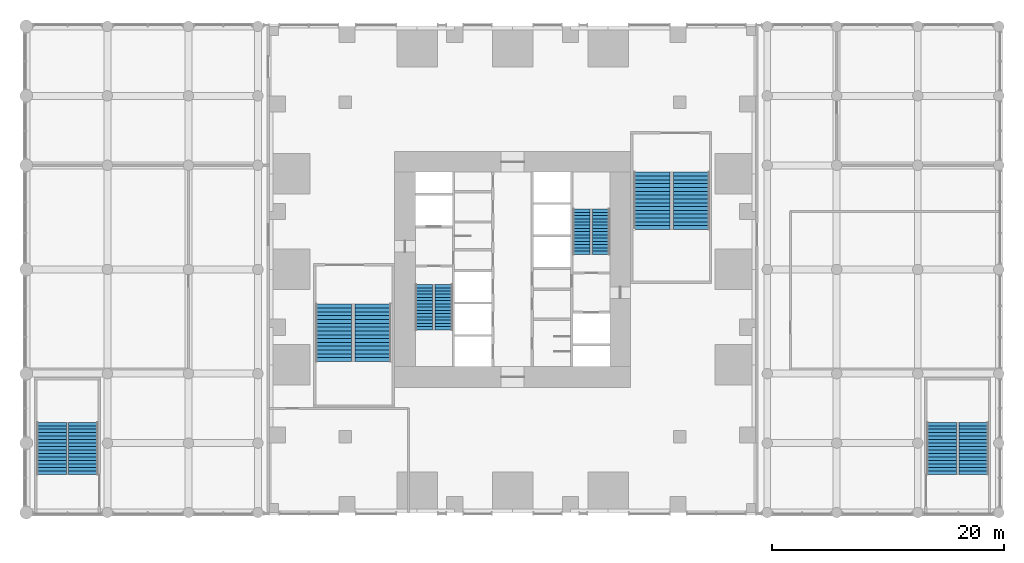
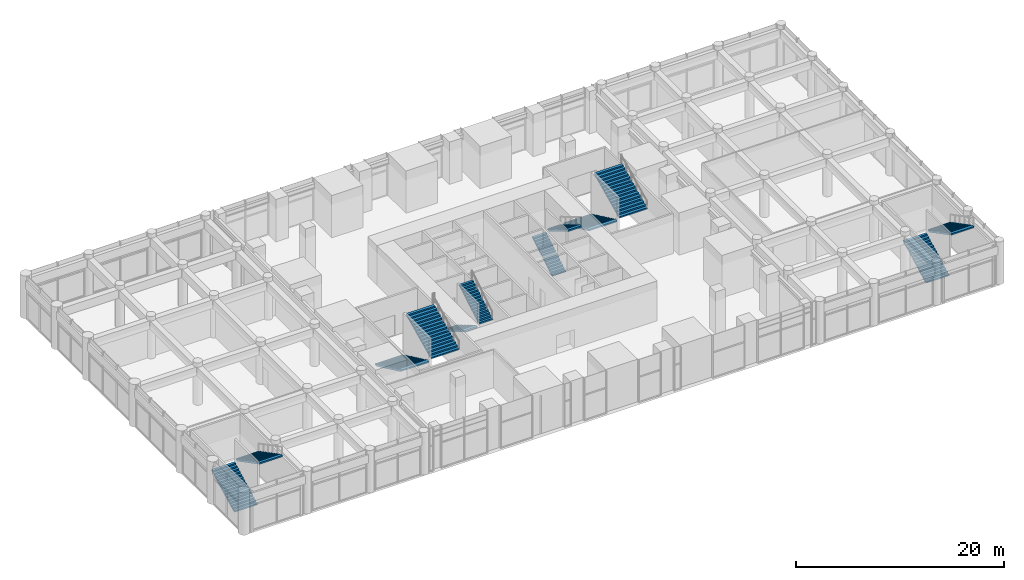
# One storey, part 18 of 23: 12 stair flights, 6 elements without a shape of their own.
"""IFC4 building model written with IfcOpenShell, lengths in metres."""

import ifcopenshell
import ifcopenshell.guid

model = None  # the IFC model being written
_history = None  # IfcOwnerHistory: only IFC2X3 demands one
_inside = {}  # id of a spatial element -> (the spatial element, [elements in it])
_under = {}  # id of a project, library or spatial element -> (it, [spatial elements below it])
_declared = {}  # id of a project -> (the project, [libraries it declares])
_typed = {}  # id of a type object -> (the type object, [elements of that type])
_made_of = {}  # id of a material, layer set ... -> (it, [elements and type objects made of it])


def new_model(schema):
    """Start an empty IFC model of exactly this schema.

    Asked for "IFC4X3", IfcOpenShell would pick the latest addendum, in which some entities
    have other attributes; the version numbers below select the first issue.
    IFC2X3 requires an IfcOwnerHistory on every rooted entity: one is made here for all.
    """
    global model, _history
    if schema == "IFC4X3":
        model = ifcopenshell.file(schema_version=(4, 3, 0, 0))
    else:
        model = ifcopenshell.file(schema=schema)
    _inside.clear()
    _under.clear()
    _declared.clear()
    _typed.clear()
    _made_of.clear()
    _history = None
    if model.schema == "IFC2X3":
        org = make("IfcOrganization", Name="unknown")
        user = make(
            "IfcPersonAndOrganization",
            ThePerson=make("IfcPerson", FamilyName="unknown"),
            TheOrganization=org,
        )
        app = make(
            "IfcApplication",
            ApplicationDeveloper=org,
            Version="unknown",
            ApplicationFullName="unknown",
            ApplicationIdentifier="unknown",
        )
        _history = make(
            "IfcOwnerHistory",
            OwningUser=user,
            OwningApplication=app,
            ChangeAction="ADDED",
            CreationDate=0,
        )
    return model


def make(cls, **values):
    """One entity of the class cls with the attributes given. An attribute that is None is left unset."""
    return model.create_entity(
        cls, **{name: value for name, value in values.items() if value is not None}
    )


def rooted(cls, **values):
    """An entity with a GlobalId (a new one), such as an element, a storey or a relation."""
    return make(cls, GlobalId=ifcopenshell.guid.new(), OwnerHistory=_history, **values)


def si_unit(unit_type, name, prefix=None):
    """IfcSIUnit, for example si_unit("LENGTHUNIT", "METRE", prefix="MILLI")."""
    return make("IfcSIUnit", UnitType=unit_type, Prefix=prefix, Name=name)


def assignment(units):
    """IfcUnitAssignment: the units of a project."""
    return None if units is None else make("IfcUnitAssignment", Units=units)


def point(xyz):
    """IfcCartesianPoint."""
    return None if xyz is None else make("IfcCartesianPoint", Coordinates=xyz)


def direction(xyz):
    """IfcDirection."""
    return None if xyz is None else make("IfcDirection", DirectionRatios=xyz)


def frame(location, z_axis=None, x_axis=None):
    """IfcAxis2Placement3D, a coordinate frame: its origin and axes. An axis left out is left unset."""
    return make(
        "IfcAxis2Placement3D",
        Location=point(location),
        Axis=direction(z_axis),
        RefDirection=direction(x_axis),
    )


def origin():
    """The frame at (0, 0, 0) with its axes left unset."""
    return frame((0.0, 0.0, 0.0))


def place(relative_to, where):
    """IfcLocalPlacement: puts the frame where relative to a parent placement (None: the world)."""
    return make(
        "IfcLocalPlacement", PlacementRelTo=relative_to, RelativePlacement=where
    )


def context(
    kind, dimensions, precision=None, world=None, true_north=None, identifier=None
):
    """IfcGeometricRepresentationContext, for example the 3D "Model" context."""
    return make(
        "IfcGeometricRepresentationContext",
        ContextIdentifier=identifier,
        ContextType=kind,
        CoordinateSpaceDimension=dimensions,
        Precision=precision,
        WorldCoordinateSystem=world,
        TrueNorth=true_north,
    )


def subcontext(parent, identifier, kind, view, scale=None):
    """IfcGeometricRepresentationSubContext, for example "Body" below "Model"."""
    return make(
        "IfcGeometricRepresentationSubContext",
        ContextIdentifier=identifier,
        ContextType=kind,
        ParentContext=parent,
        TargetScale=scale,
        TargetView=view,
    )


def project(units=None, contexts=None):
    """IfcProject with its units and contexts."""
    return rooted(
        "IfcProject",
        Name="project",
        RepresentationContexts=contexts,
        UnitsInContext=assignment(units),
    )


def spatial(cls, under=None, at=None, **own):
    """A site, building, storey or space (cls), placed at a placement, below another one or the project."""
    s = rooted(cls, ObjectPlacement=at, **own)
    if under is not None:
        _under.setdefault(under.id(), (under, []))[1].append(s)
    return s


def polyline(points):
    """IfcPolyline through the points."""
    return make("IfcPolyline", Points=[point(p) for p in points])


def outline(outer, holes=None, kind="AREA"):
    """IfcArbitraryClosedProfileDef: a profile drawn as a closed curve; with holes, ...WithVoids."""
    if holes is None:
        return make("IfcArbitraryClosedProfileDef", ProfileType=kind, OuterCurve=outer)
    return make(
        "IfcArbitraryProfileDefWithVoids",
        ProfileType=kind,
        OuterCurve=outer,
        InnerCurves=holes,
    )


def extrude(swept, where, along, depth):
    """IfcExtrudedAreaSolid: the profile swept, set in the frame where, extruded along a direction by depth."""
    return make(
        "IfcExtrudedAreaSolid",
        SweptArea=swept,
        Position=where,
        ExtrudedDirection=direction(along),
        Depth=depth,
    )


def shape(context_of_items, identifier, shape_type, items):
    """IfcShapeRepresentation: the items that make up one representation, for example the "Body"."""
    return make(
        "IfcShapeRepresentation",
        ContextOfItems=context_of_items,
        RepresentationIdentifier=identifier,
        RepresentationType=shape_type,
        Items=items,
    )


def material(Name=None, Category=None):
    """IfcMaterial."""
    return make("IfcMaterial", Name=Name, Category=Category)


def made_of(thing, what):
    """Note that an element or type object is made of a material, layer set ...; save() writes the relation."""
    if what is not None:
        _made_of.setdefault(what.id(), (what, []))[1].append(thing)
    return thing


def type_object(cls, material=None, **own):
    """A type object (cls), such as IfcWallType, which elements share."""
    return made_of(rooted(cls, **own), material)


def element(
    cls,
    number,
    at=None,
    inside=None,
    cuts=None,
    type_object=None,
    material=None,
    context=None,
    identifier="Body",
    shape_type=None,
    held_by="IfcProductDefinitionShape",
    body=None,
    shapes=None,
    **own,
):
    """One element of the class cls, such as IfcWall. Its Tag is "e" and its number.

    at: its placement. inside: the storey or other place that contains it. cuts: it is an
    opening in that element (IfcRelVoidsElement). A single representation is given by context,
    identifier, shape_type and body (its items); several are given by shapes. held_by: the class
    of the entity that holds the representations. save() writes the other relations.
    """
    e = rooted(cls, Tag="e%d" % number, ObjectPlacement=at, **own)
    if body is not None:
        shapes = [shape(context, identifier, shape_type, body)]
    if shapes is not None:
        e.Representation = make(held_by, Representations=shapes)
    if inside is not None:
        _inside.setdefault(inside.id(), (inside, []))[1].append(e)
    if cuts is not None:
        rooted(
            "IfcRelVoidsElement", RelatingBuildingElement=cuts, RelatedOpeningElement=e
        )
    if type_object is not None:
        _typed.setdefault(type_object.id(), (type_object, []))[1].append(e)
    return made_of(e, material)


def aggregate(whole, parts):
    """IfcRelAggregates: a whole, such as a stair, and the parts it consists of."""
    return rooted("IfcRelAggregates", RelatingObject=whole, RelatedObjects=parts)


def save(model, path):
    """Write the relations noted so far, then the file.

    IfcRelAggregates (storeys below a building ...), IfcRelContainedInSpatialStructure (elements
    in a storey), IfcRelDefinesByType, IfcRelAssociatesMaterial and IfcRelDeclares: one each for
    every whole, place, type object, material and project.
    """
    for whole, parts in _under.values():
        aggregate(whole, parts)
    for where, things in _inside.values():
        rooted(
            "IfcRelContainedInSpatialStructure",
            RelatedElements=things,
            RelatingStructure=where,
        )
    for kind, things in _typed.values():
        rooted("IfcRelDefinesByType", RelatedObjects=things, RelatingType=kind)
    for what, things in _made_of.values():
        rooted("IfcRelAssociatesMaterial", RelatedObjects=things, RelatingMaterial=what)
    for by, libraries in _declared.values():
        rooted("IfcRelDeclares", RelatingContext=by, RelatedDefinitions=libraries)
    model.write(path)


model = new_model("IFC4")

# Units and contexts
model_context = context("Model", 3, precision=1e-05, world=origin(), true_north=direction((0.0, 1.0)))
body_context = subcontext(model_context, "Body", "Model", "MODEL_VIEW")
ifc_project = project(units=[si_unit("LENGTHUNIT", "METRE"), si_unit("AREAUNIT", "SQUARE_METRE"), si_unit("VOLUMEUNIT", "CUBIC_METRE"), si_unit("PLANEANGLEUNIT", "RADIAN"), si_unit("MASSUNIT", "GRAM", prefix="KILO")], contexts=[model_context])

# Site, building, storey
site_placement = place(None, origin())
site = spatial("IfcSite", under=ifc_project, at=site_placement, CompositionType="ELEMENT")
building_placement = place(site_placement, origin())
building = spatial("IfcBuilding", under=site, at=building_placement, Name="Svetlomir Tower", CompositionType="ELEMENT")
storey_placement = place(building_placement, frame((0.0, 0.0, 6.0)))
storey = spatial("IfcBuildingStorey", under=building, at=storey_placement, Name="L01", CompositionType="ELEMENT", Elevation=6.0)

# Stair, stair flights
ifc_material_1 = material(Name="Concrete C60/75", Category="concrete")
stair_type_1 = type_object("IfcStairType", Name="EXIT STAIR 3200 RISE 5000", PredefinedType="HALF_TURN_STAIR", material=ifc_material_1)
stair_1_placement = place(storey_placement, origin())
stair_1 = element("IfcStair", 1, at=stair_1_placement, inside=storey, type_object=stair_type_1, Name="Stair S1 L01 to L02", PredefinedType="HALF_TURN_STAIR")
ifc_material_2 = material(Name="Concrete C60/75", Category="concrete")
stair_flight_type_1 = type_object("IfcStairFlightType", Name="STAIR FLIGHT 1500 OF 15 RISERS", PredefinedType="STRAIGHT", material=ifc_material_2)
stair_flight_1_placement = place(storey_placement, frame((13.35009765625, 19.699951171875, 0.0), z_axis=(0.0, 0.0, 1.0), x_axis=(0.0, -1.0, 0.0)))
stair_flight_1 = element("IfcStairFlight", 2, at=stair_flight_1_placement, type_object=stair_flight_type_1, Name="S1 flight 1", NumberOfRisers=15, NumberOfTreads=14, PredefinedType="STRAIGHT", RiserHeight=0.166666667, TreadLength=0.28, context=body_context, shape_type="SweptSolid", body=[
    extrude(outline(polyline([(0.0, 0.0), (0.0, 0.166748046875), (0.280029296875, 0.166748046875), (0.280029296875, 0.333251953125), (0.56005859375, 0.333251953125), (0.56005859375, 0.5), (0.840087890625, 0.5), (0.840087890625, 0.666748046875), (1.1201171875, 0.666748046875), (1.1201171875, 0.833251953125), (1.39990234375, 0.833251953125), (1.39990234375, 1.0), (1.679931640625, 1.0), (1.679931640625, 1.166748046875), (1.9599609375, 1.166748046875), (1.9599609375, 1.333251953125), (2.239990234375, 1.333251953125), (2.239990234375, 1.5), (2.52001953125, 1.5), (2.52001953125, 1.666748046875), (2.800048828125, 1.666748046875), (2.800048828125, 1.833251953125), (3.080078125, 1.833251953125), (3.080078125, 2.0), (3.360107421875, 2.0), (3.360107421875, 2.166748046875), (3.639892578125, 2.166748046875), (3.639892578125, 2.333251953125), (3.919921875, 2.333251953125), (3.919921875, 2.5), (3.919921875, 2.158935546875), (0.29296875, 0.0), (0.0, 0.0)])), frame((0.0, 0.75, 0.0), z_axis=(0.0, -1.0, 0.0), x_axis=(1.0, 0.0, 0.0)), (0.0, 0.0, 1.0), 1.5),
])
stair_flight_2_placement = place(storey_placement, frame((15.050048828125, 15.780029296875, 2.5), z_axis=(0.0, 0.0, 1.0), x_axis=(0.0, 1.0, 0.0)))
stair_flight_2 = element("IfcStairFlight", 3, at=stair_flight_2_placement, type_object=stair_flight_type_1, Name="S1 flight 2", NumberOfRisers=15, NumberOfTreads=14, PredefinedType="STRAIGHT", RiserHeight=0.166666667, TreadLength=0.28, context=body_context, shape_type="SweptSolid", body=[
    extrude(outline(polyline([(0.0, 0.0), (0.0, 0.166748046875), (0.280029296875, 0.166748046875), (0.280029296875, 0.333251953125), (0.56005859375, 0.333251953125), (0.56005859375, 0.5), (0.840087890625, 0.5), (0.840087890625, 0.666748046875), (1.1201171875, 0.666748046875), (1.1201171875, 0.833251953125), (1.39990234375, 0.833251953125), (1.39990234375, 1.0), (1.679931640625, 1.0), (1.679931640625, 1.166748046875), (1.9599609375, 1.166748046875), (1.9599609375, 1.333251953125), (2.239990234375, 1.333251953125), (2.239990234375, 1.5), (2.52001953125, 1.5), (2.52001953125, 1.666748046875), (2.800048828125, 1.666748046875), (2.800048828125, 1.833251953125), (3.080078125, 1.833251953125), (3.080078125, 2.0), (3.360107421875, 2.0), (3.360107421875, 2.166748046875), (3.639892578125, 2.166748046875), (3.639892578125, 2.333251953125), (3.919921875, 2.333251953125), (3.919921875, 2.5), (3.919921875, 2.158935546875), (0.29296875, 0.0), (0.0, 0.0)])), frame((0.0, 0.75, 0.0), z_axis=(0.0, -1.0, 0.0), x_axis=(1.0, 0.0, 0.0)), (0.0, 0.0, 1.0), 1.5),
])
aggregate(stair_1, [stair_flight_1, stair_flight_2])

stair_2_placement = place(storey_placement, origin())
stair_2 = element("IfcStair", 4, at=stair_2_placement, inside=storey, type_object=stair_type_1, Name="Stair S2 L01 to L02", PredefinedType="HALF_TURN_STAIR")
stair_flight_3_placement = place(storey_placement, frame((26.949951171875, 22.300048828125, 0.0), z_axis=(0.0, 0.0, 1.0), x_axis=(0.0, 1.0, 0.0)))
stair_flight_3 = element("IfcStairFlight", 5, at=stair_flight_3_placement, type_object=stair_flight_type_1, Name="S2 flight 1", NumberOfRisers=15, NumberOfTreads=14, PredefinedType="STRAIGHT", RiserHeight=0.166666667, TreadLength=0.28, context=body_context, shape_type="SweptSolid", body=[
    extrude(outline(polyline([(0.0, 0.0), (0.0, 0.166748046875), (0.280029296875, 0.166748046875), (0.280029296875, 0.333251953125), (0.56005859375, 0.333251953125), (0.56005859375, 0.5), (0.840087890625, 0.5), (0.840087890625, 0.666748046875), (1.1201171875, 0.666748046875), (1.1201171875, 0.833251953125), (1.39990234375, 0.833251953125), (1.39990234375, 1.0), (1.679931640625, 1.0), (1.679931640625, 1.166748046875), (1.9599609375, 1.166748046875), (1.9599609375, 1.333251953125), (2.239990234375, 1.333251953125), (2.239990234375, 1.5), (2.52001953125, 1.5), (2.52001953125, 1.666748046875), (2.800048828125, 1.666748046875), (2.800048828125, 1.833251953125), (3.080078125, 1.833251953125), (3.080078125, 2.0), (3.360107421875, 2.0), (3.360107421875, 2.166748046875), (3.639892578125, 2.166748046875), (3.639892578125, 2.333251953125), (3.919921875, 2.333251953125), (3.919921875, 2.5), (3.919921875, 2.158935546875), (0.29296875, 0.0), (0.0, 0.0)])), frame((0.0, 0.75, 0.0), z_axis=(0.0, -1.0, 0.0), x_axis=(1.0, 0.0, 0.0)), (0.0, 0.0, 1.0), 1.5),
])
stair_flight_4_placement = place(storey_placement, frame((28.64990234375, 26.219970703125, 2.5), z_axis=(0.0, 0.0, 1.0), x_axis=(0.0, -1.0, 0.0)))
stair_flight_4 = element("IfcStairFlight", 6, at=stair_flight_4_placement, type_object=stair_flight_type_1, Name="S2 flight 2", NumberOfRisers=15, NumberOfTreads=14, PredefinedType="STRAIGHT", RiserHeight=0.166666667, TreadLength=0.28, context=body_context, shape_type="SweptSolid", body=[
    extrude(outline(polyline([(0.0, 0.0), (0.0, 0.166748046875), (0.280029296875, 0.166748046875), (0.280029296875, 0.333251953125), (0.56005859375, 0.333251953125), (0.56005859375, 0.5), (0.840087890625, 0.5), (0.840087890625, 0.666748046875), (1.1201171875, 0.666748046875), (1.1201171875, 0.833251953125), (1.39990234375, 0.833251953125), (1.39990234375, 1.0), (1.679931640625, 1.0), (1.679931640625, 1.166748046875), (1.9599609375, 1.166748046875), (1.9599609375, 1.333251953125), (2.239990234375, 1.333251953125), (2.239990234375, 1.5), (2.52001953125, 1.5), (2.52001953125, 1.666748046875), (2.800048828125, 1.666748046875), (2.800048828125, 1.833251953125), (3.080078125, 1.833251953125), (3.080078125, 2.0), (3.360107421875, 2.0), (3.360107421875, 2.166748046875), (3.639892578125, 2.166748046875), (3.639892578125, 2.333251953125), (3.919921875, 2.333251953125), (3.919921875, 2.5), (3.919921875, 2.158935546875), (0.29296875, 0.0), (0.0, 0.0)])), frame((0.0, 0.75, 0.0), z_axis=(0.0, -1.0, 0.0), x_axis=(1.0, 0.0, 0.0)), (0.0, 0.0, 1.0), 1.5),
])
aggregate(stair_2, [stair_flight_3, stair_flight_4])

ifc_material_3 = material(Name="Concrete C60/75", Category="concrete")
stair_type_2 = type_object("IfcStairType", Name="EXIT STAIR 5300 RISE 5000", PredefinedType="HALF_TURN_STAIR", material=ifc_material_3)
stair_3_placement = place(storey_placement, origin())
stair_3 = element("IfcStair", 7, at=stair_3_placement, inside=storey, type_object=stair_type_2, Name="Stair P3 L01 to L02", PredefinedType="HALF_TURN_STAIR")
ifc_material_4 = material(Name="Concrete C60/75", Category="concrete")
stair_flight_type_2 = type_object("IfcStairFlightType", Name="STAIR FLIGHT 2550 OF 16 RISERS GOING 300", PredefinedType="STRAIGHT", material=ifc_material_4)
stair_flight_5_placement = place(storey_placement, frame((-18.824951171875, 3.300048828125, 0.0), z_axis=(0.0, 0.0, 1.0), x_axis=(0.0, 1.0, 0.0)))
stair_flight_5 = element("IfcStairFlight", 8, at=stair_flight_5_placement, type_object=stair_flight_type_2, Name="P3 flight 1", NumberOfRisers=16, NumberOfTreads=15, PredefinedType="STRAIGHT", RiserHeight=0.15625, TreadLength=0.3, context=body_context, shape_type="SweptSolid", body=[
    extrude(outline(polyline([(0.0, 0.0), (0.0, 0.15625), (0.300048828125, 0.15625), (0.300048828125, 0.3125), (0.60009765625, 0.3125), (0.60009765625, 0.46875), (0.89990234375, 0.46875), (0.89990234375, 0.625), (1.199951171875, 0.625), (1.199951171875, 0.78125), (1.5, 0.78125), (1.5, 0.9375), (1.800048828125, 0.9375), (1.800048828125, 1.09375), (2.10009765625, 1.09375), (2.10009765625, 1.25), (2.39990234375, 1.25), (2.39990234375, 1.40625), (2.699951171875, 1.40625), (2.699951171875, 1.5625), (3.0, 1.5625), (3.0, 1.71875), (3.300048828125, 1.71875), (3.300048828125, 1.875), (3.60009765625, 1.875), (3.60009765625, 2.03125), (3.89990234375, 2.03125), (3.89990234375, 2.1875), (4.199951171875, 2.1875), (4.199951171875, 2.34375), (4.5, 2.34375), (4.5, 2.5), (4.5, 2.1748046875), (0.324462890625, 0.0), (0.0, 0.0)])), frame((0.0, 1.27490234375, 0.0), z_axis=(0.0, -1.0, 0.0), x_axis=(1.0, 0.0, 0.0)), (0.0, 0.0, 1.0), 2.550048828125),
])
stair_flight_6_placement = place(storey_placement, frame((-16.074951171875, 7.800048828125, 2.5), z_axis=(0.0, 0.0, 1.0), x_axis=(0.0, -1.0, 0.0)))
stair_flight_6 = element("IfcStairFlight", 9, at=stair_flight_6_placement, type_object=stair_flight_type_2, Name="P3 flight 2", NumberOfRisers=16, NumberOfTreads=15, PredefinedType="STRAIGHT", RiserHeight=0.15625, TreadLength=0.3, context=body_context, shape_type="SweptSolid", body=[
    extrude(outline(polyline([(0.0, 0.0), (0.0, 0.15625), (0.300048828125, 0.15625), (0.300048828125, 0.3125), (0.60009765625, 0.3125), (0.60009765625, 0.46875), (0.89990234375, 0.46875), (0.89990234375, 0.625), (1.199951171875, 0.625), (1.199951171875, 0.78125), (1.5, 0.78125), (1.5, 0.9375), (1.800048828125, 0.9375), (1.800048828125, 1.09375), (2.10009765625, 1.09375), (2.10009765625, 1.25), (2.39990234375, 1.25), (2.39990234375, 1.40625), (2.699951171875, 1.40625), (2.699951171875, 1.5625), (3.0, 1.5625), (3.0, 1.71875), (3.300048828125, 1.71875), (3.300048828125, 1.875), (3.60009765625, 1.875), (3.60009765625, 2.03125), (3.89990234375, 2.03125), (3.89990234375, 2.1875), (4.199951171875, 2.1875), (4.199951171875, 2.34375), (4.5, 2.34375), (4.5, 2.5), (4.5, 2.1748046875), (0.324462890625, 0.0), (0.0, 0.0)])), frame((0.0, 1.27490234375, 0.0), z_axis=(0.0, -1.0, 0.0), x_axis=(1.0, 0.0, 0.0)), (0.0, 0.0, 1.0), 2.550048828125),
])
aggregate(stair_3, [stair_flight_5, stair_flight_6])

stair_4_placement = place(storey_placement, origin())
stair_4 = element("IfcStair", 10, at=stair_4_placement, inside=storey, type_object=stair_type_2, Name="Stair P4 L01 to L02", PredefinedType="HALF_TURN_STAIR")
stair_flight_7_placement = place(storey_placement, frame((58.074951171875, 3.300048828125, 0.0), z_axis=(0.0, 0.0, 1.0), x_axis=(0.0, 1.0, 0.0)))
stair_flight_7 = element("IfcStairFlight", 11, at=stair_flight_7_placement, type_object=stair_flight_type_2, Name="P4 flight 1", NumberOfRisers=16, NumberOfTreads=15, PredefinedType="STRAIGHT", RiserHeight=0.15625, TreadLength=0.3, context=body_context, shape_type="SweptSolid", body=[
    extrude(outline(polyline([(0.0, 0.0), (0.0, 0.15625), (0.300048828125, 0.15625), (0.300048828125, 0.3125), (0.60009765625, 0.3125), (0.60009765625, 0.46875), (0.89990234375, 0.46875), (0.89990234375, 0.625), (1.199951171875, 0.625), (1.199951171875, 0.78125), (1.5, 0.78125), (1.5, 0.9375), (1.800048828125, 0.9375), (1.800048828125, 1.09375), (2.10009765625, 1.09375), (2.10009765625, 1.25), (2.39990234375, 1.25), (2.39990234375, 1.40625), (2.699951171875, 1.40625), (2.699951171875, 1.5625), (3.0, 1.5625), (3.0, 1.71875), (3.300048828125, 1.71875), (3.300048828125, 1.875), (3.60009765625, 1.875), (3.60009765625, 2.03125), (3.89990234375, 2.03125), (3.89990234375, 2.1875), (4.199951171875, 2.1875), (4.199951171875, 2.34375), (4.5, 2.34375), (4.5, 2.5), (4.5, 2.1748046875), (0.324462890625, 0.0), (0.0, 0.0)])), frame((0.0, 1.27490234375, 0.0), z_axis=(0.0, -1.0, 0.0), x_axis=(1.0, 0.0, 0.0)), (0.0, 0.0, 1.0), 2.550048828125),
])
stair_flight_8_placement = place(storey_placement, frame((60.824951171875, 7.800048828125, 2.5), z_axis=(0.0, 0.0, 1.0), x_axis=(0.0, -1.0, 0.0)))
stair_flight_8 = element("IfcStairFlight", 12, at=stair_flight_8_placement, type_object=stair_flight_type_2, Name="P4 flight 2", NumberOfRisers=16, NumberOfTreads=15, PredefinedType="STRAIGHT", RiserHeight=0.15625, TreadLength=0.3, context=body_context, shape_type="SweptSolid", body=[
    extrude(outline(polyline([(0.0, 0.0), (0.0, 0.15625), (0.300048828125, 0.15625), (0.300048828125, 0.3125), (0.60009765625, 0.3125), (0.60009765625, 0.46875), (0.89990234375, 0.46875), (0.89990234375, 0.625), (1.199951171875, 0.625), (1.199951171875, 0.78125), (1.5, 0.78125), (1.5, 0.9375), (1.800048828125, 0.9375), (1.800048828125, 1.09375), (2.10009765625, 1.09375), (2.10009765625, 1.25), (2.39990234375, 1.25), (2.39990234375, 1.40625), (2.699951171875, 1.40625), (2.699951171875, 1.5625), (3.0, 1.5625), (3.0, 1.71875), (3.300048828125, 1.71875), (3.300048828125, 1.875), (3.60009765625, 1.875), (3.60009765625, 2.03125), (3.89990234375, 2.03125), (3.89990234375, 2.1875), (4.199951171875, 2.1875), (4.199951171875, 2.34375), (4.5, 2.34375), (4.5, 2.5), (4.5, 2.1748046875), (0.324462890625, 0.0), (0.0, 0.0)])), frame((0.0, 1.27490234375, 0.0), z_axis=(0.0, -1.0, 0.0), x_axis=(1.0, 0.0, 0.0)), (0.0, 0.0, 1.0), 2.550048828125),
])
aggregate(stair_4, [stair_flight_7, stair_flight_8])

ifc_material_5 = material(Name="Concrete C60/75", Category="concrete")
stair_type_3 = type_object("IfcStairType", Name="EXIT STAIR 6600 RISE 5000", PredefinedType="HALF_TURN_STAIR", material=ifc_material_5)
stair_5_placement = place(storey_placement, origin())
stair_5 = element("IfcStair", 13, at=stair_5_placement, inside=storey, type_object=stair_type_3, Name="Stair P1 L01 to L02", PredefinedType="HALF_TURN_STAIR")
ifc_material_6 = material(Name="Concrete C60/75", Category="concrete")
stair_flight_type_3 = type_object("IfcStairFlightType", Name="STAIR FLIGHT 3100 OF 16 RISERS GOING 330", PredefinedType="STRAIGHT", material=ifc_material_6)
stair_flight_9_placement = place(storey_placement, frame((5.550048828125, 18.0, 0.0), z_axis=(0.0, 0.0, 1.0), x_axis=(0.0, -1.0, 0.0)))
stair_flight_9 = element("IfcStairFlight", 14, at=stair_flight_9_placement, type_object=stair_flight_type_3, Name="P1 flight 1", NumberOfRisers=16, NumberOfTreads=15, PredefinedType="STRAIGHT", RiserHeight=0.15625, TreadLength=0.33, context=body_context, shape_type="SweptSolid", body=[
    extrude(outline(polyline([(0.0, 0.0), (0.0, 0.15625), (0.330078125, 0.15625), (0.330078125, 0.3125), (0.659912109375, 0.3125), (0.659912109375, 0.46875), (0.989990234375, 0.46875), (0.989990234375, 0.625), (1.320068359375, 0.625), (1.320068359375, 0.78125), (1.64990234375, 0.78125), (1.64990234375, 0.9375), (1.97998046875, 0.9375), (1.97998046875, 1.09375), (2.31005859375, 1.09375), (2.31005859375, 1.25), (2.639892578125, 1.25), (2.639892578125, 1.40625), (2.969970703125, 1.40625), (2.969970703125, 1.5625), (3.300048828125, 1.5625), (3.300048828125, 1.71875), (3.6298828125, 1.71875), (3.6298828125, 1.875), (3.9599609375, 1.875), (3.9599609375, 2.03125), (4.2900390625, 2.03125), (4.2900390625, 2.1875), (4.6201171875, 2.1875), (4.6201171875, 2.34375), (4.949951171875, 2.34375), (4.949951171875, 2.5), (4.949951171875, 2.177978515625), (0.350341796875, 0.0), (0.0, 0.0)])), frame((0.0, 1.550048828125, 0.0), z_axis=(0.0, -1.0, 0.0), x_axis=(1.0, 0.0, 0.0)), (0.0, 0.0, 1.0), 3.10009765625),
])
stair_flight_10_placement = place(storey_placement, frame((8.949951171875, 13.050048828125, 2.5), z_axis=(0.0, 0.0, 1.0), x_axis=(0.0, 1.0, 0.0)))
stair_flight_10 = element("IfcStairFlight", 15, at=stair_flight_10_placement, type_object=stair_flight_type_3, Name="P1 flight 2", NumberOfRisers=16, NumberOfTreads=15, PredefinedType="STRAIGHT", RiserHeight=0.15625, TreadLength=0.33, context=body_context, shape_type="SweptSolid", body=[
    extrude(outline(polyline([(0.0, 0.0), (0.0, 0.15625), (0.330078125, 0.15625), (0.330078125, 0.3125), (0.659912109375, 0.3125), (0.659912109375, 0.46875), (0.989990234375, 0.46875), (0.989990234375, 0.625), (1.320068359375, 0.625), (1.320068359375, 0.78125), (1.64990234375, 0.78125), (1.64990234375, 0.9375), (1.97998046875, 0.9375), (1.97998046875, 1.09375), (2.31005859375, 1.09375), (2.31005859375, 1.25), (2.639892578125, 1.25), (2.639892578125, 1.40625), (2.969970703125, 1.40625), (2.969970703125, 1.5625), (3.300048828125, 1.5625), (3.300048828125, 1.71875), (3.6298828125, 1.71875), (3.6298828125, 1.875), (3.9599609375, 1.875), (3.9599609375, 2.03125), (4.2900390625, 2.03125), (4.2900390625, 2.1875), (4.6201171875, 2.1875), (4.6201171875, 2.34375), (4.949951171875, 2.34375), (4.949951171875, 2.5), (4.949951171875, 2.177978515625), (0.350341796875, 0.0), (0.0, 0.0)])), frame((0.0, 1.550048828125, 0.0), z_axis=(0.0, -1.0, 0.0), x_axis=(1.0, 0.0, 0.0)), (0.0, 0.0, 1.0), 3.10009765625),
])
aggregate(stair_5, [stair_flight_9, stair_flight_10])

stair_6_placement = place(storey_placement, origin())
stair_6 = element("IfcStair", 16, at=stair_6_placement, inside=storey, type_object=stair_type_3, Name="Stair P2 L01 to L02", PredefinedType="HALF_TURN_STAIR")
stair_flight_11_placement = place(storey_placement, frame((33.050048828125, 29.39990234375, 0.0), z_axis=(0.0, 0.0, 1.0), x_axis=(0.0, -1.0, 0.0)))
stair_flight_11 = element("IfcStairFlight", 17, at=stair_flight_11_placement, type_object=stair_flight_type_3, Name="P2 flight 1", NumberOfRisers=16, NumberOfTreads=15, PredefinedType="STRAIGHT", RiserHeight=0.15625, TreadLength=0.33, context=body_context, shape_type="SweptSolid", body=[
    extrude(outline(polyline([(0.0, 0.0), (0.0, 0.15625), (0.330078125, 0.15625), (0.330078125, 0.3125), (0.659912109375, 0.3125), (0.659912109375, 0.46875), (0.989990234375, 0.46875), (0.989990234375, 0.625), (1.320068359375, 0.625), (1.320068359375, 0.78125), (1.64990234375, 0.78125), (1.64990234375, 0.9375), (1.97998046875, 0.9375), (1.97998046875, 1.09375), (2.31005859375, 1.09375), (2.31005859375, 1.25), (2.639892578125, 1.25), (2.639892578125, 1.40625), (2.969970703125, 1.40625), (2.969970703125, 1.5625), (3.300048828125, 1.5625), (3.300048828125, 1.71875), (3.6298828125, 1.71875), (3.6298828125, 1.875), (3.9599609375, 1.875), (3.9599609375, 2.03125), (4.2900390625, 2.03125), (4.2900390625, 2.1875), (4.6201171875, 2.1875), (4.6201171875, 2.34375), (4.949951171875, 2.34375), (4.949951171875, 2.5), (4.949951171875, 2.177978515625), (0.350341796875, 0.0), (0.0, 0.0)])), frame((0.0, 1.550048828125, 0.0), z_axis=(0.0, -1.0, 0.0), x_axis=(1.0, 0.0, 0.0)), (0.0, 0.0, 1.0), 3.10009765625),
])
stair_flight_12_placement = place(storey_placement, frame((36.449951171875, 24.449951171875, 2.5), z_axis=(0.0, 0.0, 1.0), x_axis=(0.0, 1.0, 0.0)))
stair_flight_12 = element("IfcStairFlight", 18, at=stair_flight_12_placement, type_object=stair_flight_type_3, Name="P2 flight 2", NumberOfRisers=16, NumberOfTreads=15, PredefinedType="STRAIGHT", RiserHeight=0.15625, TreadLength=0.33, context=body_context, shape_type="SweptSolid", body=[
    extrude(outline(polyline([(0.0, 0.0), (0.0, 0.15625), (0.330078125, 0.15625), (0.330078125, 0.3125), (0.659912109375, 0.3125), (0.659912109375, 0.46875), (0.989990234375, 0.46875), (0.989990234375, 0.625), (1.320068359375, 0.625), (1.320068359375, 0.78125), (1.64990234375, 0.78125), (1.64990234375, 0.9375), (1.97998046875, 0.9375), (1.97998046875, 1.09375), (2.31005859375, 1.09375), (2.31005859375, 1.25), (2.639892578125, 1.25), (2.639892578125, 1.40625), (2.969970703125, 1.40625), (2.969970703125, 1.5625), (3.300048828125, 1.5625), (3.300048828125, 1.71875), (3.6298828125, 1.71875), (3.6298828125, 1.875), (3.9599609375, 1.875), (3.9599609375, 2.03125), (4.2900390625, 2.03125), (4.2900390625, 2.1875), (4.6201171875, 2.1875), (4.6201171875, 2.34375), (4.949951171875, 2.34375), (4.949951171875, 2.5), (4.949951171875, 2.177978515625), (0.350341796875, 0.0), (0.0, 0.0)])), frame((0.0, 1.550048828125, 0.0), z_axis=(0.0, -1.0, 0.0), x_axis=(1.0, 0.0, 0.0)), (0.0, 0.0, 1.0), 3.10009765625),
])
aggregate(stair_6, [stair_flight_11, stair_flight_12])

save(model, "model.ifc")
